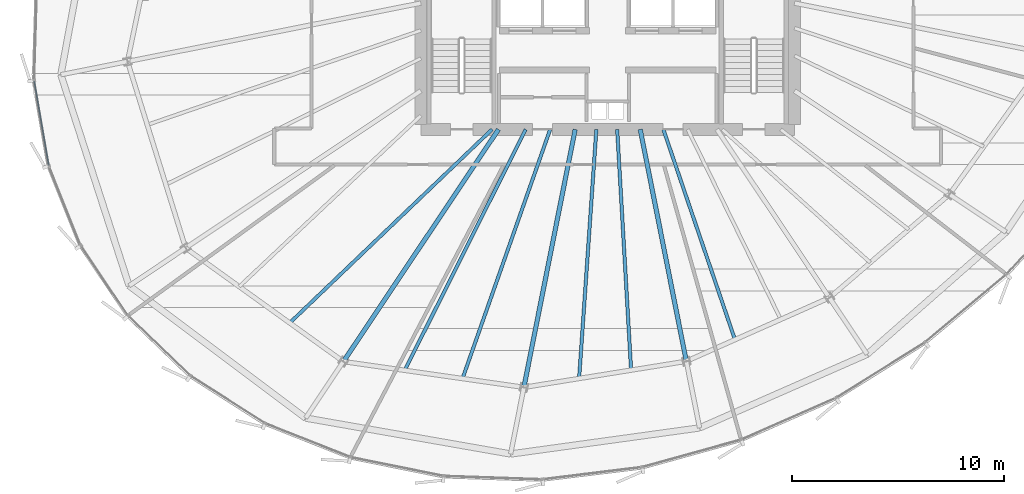
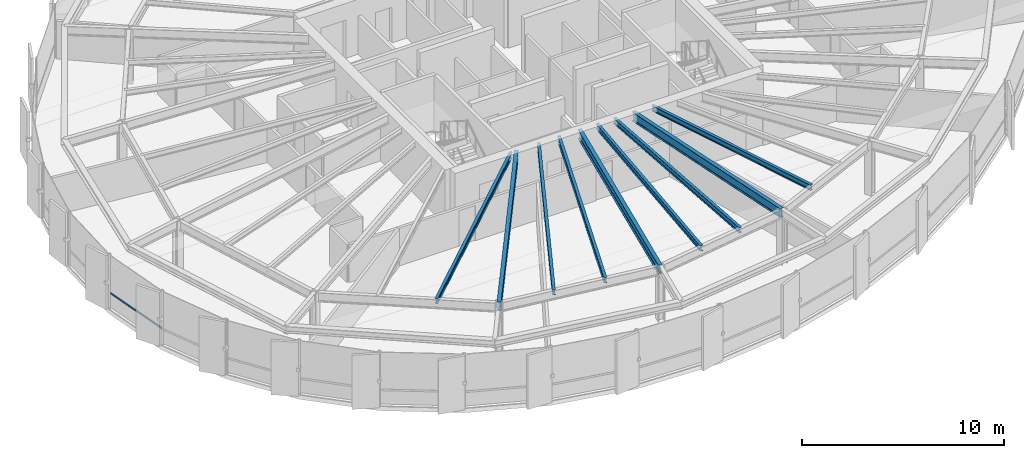
# One storey, part 7 of 35: 9 beams, 1 member, 1 element without a shape of its own.
"""IFC4 building model written with IfcOpenShell, lengths in metres."""

from ifc_helpers import new_model, si_unit, direction, frame, origin, origin_2d, place, context, subcontext, project, spatial, hollow_rectangle, i_section, extrude, source, transform, mapped, material, layer, layer_set, material_profile, profile_set, type_object, element, aggregate, save


model = new_model("IFC4")

# Units and contexts
model_context = context("Model", 3, precision=1e-05, world=origin(), true_north=direction((0.0, 1.0)))
body_context = subcontext(model_context, "Body", "Model", "MODEL_VIEW")
ifc_project = project(units=[si_unit("LENGTHUNIT", "METRE"), si_unit("AREAUNIT", "SQUARE_METRE"), si_unit("VOLUMEUNIT", "CUBIC_METRE"), si_unit("PLANEANGLEUNIT", "RADIAN"), si_unit("MASSUNIT", "GRAM", prefix="KILO"), si_unit("THERMODYNAMICTEMPERATUREUNIT", "KELVIN")], contexts=[model_context])

# Site, building, storey
site_placement = place(None, origin())
site = spatial("IfcSite", under=ifc_project, at=site_placement, CompositionType="ELEMENT")
building_placement = place(site_placement, origin())
building = spatial("IfcBuilding", under=site, at=building_placement, Name="Kethvar Cultural Tower", CompositionType="ELEMENT")
storey_placement = place(building_placement, frame((0.0, 0.0, 146.550048828125)))
storey = spatial("IfcBuildingStorey", under=building, at=storey_placement, Name="L37", CompositionType="ELEMENT", Elevation=146.550048828125)

# Beams
ifc_material_1 = material(Name="Steel S355J2", Category="steel")
ifc_material_profile_1 = material_profile(ifc_material_1, i_section(OverallWidth=0.2099609375, OverallDepth=0.550048828125, WebThickness=0.010986328125, FlangeThickness=0.01708984375, FilletRadius=0.02392578125, at=origin_2d()), Name="Steel S355J2 — IPE550")
ifc_profile_set_1 = profile_set([ifc_material_profile_1], Name="Steel S355J2 — IPE550")
beam_type_1 = type_object("IfcBeamType", Name="BM-IPE550", PredefinedType="BEAM", material=ifc_profile_set_1)
shared_shape_1 = source(origin(), body_context, "Body", "SweptSolid", [
    extrude(i_section(OverallWidth=0.2099609375, OverallDepth=0.550048828125, WebThickness=0.010986328125, FlangeThickness=0.01708984375, FilletRadius=0.02392578125, at=origin_2d()), origin(), (0.0, 0.0, 1.0), 13.147216796875),
])
beam_1_placement = place(storey_placement, frame((41.655029296875, 20.10009765625, 3.02294921875), z_axis=(-0.555565525446, -0.831472757783, 0.0), x_axis=(0.831472757783, -0.555565525446, 0.0)))
element("IfcBeam", 1, at=beam_1_placement, inside=storey, type_object=beam_type_1, Name="L37 Primary Radial Beam RB-11", PredefinedType="BEAM", context=body_context, shape_type="MappedRepresentation", body=[
    mapped(shared_shape_1, transform((0.0, 0.0, 0.0), scale=1.0)),
])
shared_shape_2 = source(origin(), body_context, "Body", "SweptSolid", [
    extrude(i_section(OverallWidth=0.2099609375, OverallDepth=0.550048828125, WebThickness=0.010986328125, FlangeThickness=0.01708984375, FilletRadius=0.02392578125, at=origin_2d()), origin(), (0.0, 0.0, 1.0), 12.384521484375),
])
beam_2_placement = place(storey_placement, frame((45.268310546875, 20.10009765625, 3.02294921875), z_axis=(-0.195084858678, -0.980786367113, 0.0), x_axis=(0.980786367113, -0.195084858678, 0.0)))
element("IfcBeam", 2, at=beam_2_placement, inside=storey, type_object=beam_type_1, Name="L37 Primary Radial Beam RB-12", PredefinedType="BEAM", context=body_context, shape_type="MappedRepresentation", body=[
    mapped(shared_shape_2, transform((0.0, 0.0, 0.0), scale=1.0)),
])
shared_shape_3 = source(origin(), body_context, "Body", "SweptSolid", [
    extrude(i_section(OverallWidth=0.2099609375, OverallDepth=0.550048828125, WebThickness=0.010986328125, FlangeThickness=0.01708984375, FilletRadius=0.02392578125, at=origin_2d()), origin(), (0.0, 0.0, 1.0), 11.131591796875),
])
beam_3_placement = place(storey_placement, frame((48.33154296875, 20.10009765625, 3.02294921875), z_axis=(0.195107998266, -0.980781764213, 0.0), x_axis=(0.980781764213, 0.195107998266, 0.0)))
element("IfcBeam", 3, at=beam_3_placement, inside=storey, type_object=beam_type_1, Name="L37 Primary Radial Beam RB-13", PredefinedType="BEAM", context=body_context, shape_type="MappedRepresentation", body=[
    mapped(shared_shape_3, transform((0.0, 0.0, 0.0), scale=1.0)),
])
ifc_material_profile_2 = material_profile(ifc_material_1, i_section(OverallWidth=0.159912109375, OverallDepth=0.330078125, WebThickness=0.007568359375, FlangeThickness=0.011474609375, FilletRadius=0.01806640625, at=origin_2d()), Name="Steel S355J2 — IPE330")
ifc_profile_set_2 = profile_set([ifc_material_profile_2], Name="Steel S355J2 — IPE330")
beam_type_2 = type_object("IfcBeamType", Name="BM-J330", PredefinedType="JOIST", material=ifc_profile_set_2)
shared_shape_4 = source(origin(), body_context, "Body", "SweptSolid", [
    extrude(i_section(OverallWidth=0.159912109375, OverallDepth=0.330078125, WebThickness=0.007568359375, FlangeThickness=0.011474609375, FilletRadius=0.01806640625, at=origin_2d()), origin(), (0.0, 0.0, 1.0), 13.1826171875),
])
beam_4_placement = place(storey_placement, frame((41.35009765625, 20.10009765625, 3.133056640625), z_axis=(-0.722573880181, -0.691293705801, 0.0), x_axis=(0.691293705801, -0.722573880181, 0.0)))
element("IfcBeam", 4, at=beam_4_placement, inside=storey, type_object=beam_type_2, Name="L37 Composite Floor Joist J-10B", PredefinedType="JOIST", context=body_context, shape_type="MappedRepresentation", body=[
    mapped(shared_shape_4, transform((0.0, 0.0, 0.0), scale=1.0)),
])
shared_shape_5 = source(origin(), body_context, "Body", "SweptSolid", [
    extrude(i_section(OverallWidth=0.159912109375, OverallDepth=0.330078125, WebThickness=0.007568359375, FlangeThickness=0.011474609375, FilletRadius=0.01806640625, at=origin_2d()), origin(), (0.0, 0.0, 1.0), 12.693603515625),
])
beam_5_placement = place(storey_placement, frame((42.935302734375, 20.10009765625, 3.133056640625), z_axis=(-0.448582495233, -0.893741430712, 0.0), x_axis=(0.893741430712, -0.448582495233, 0.0)))
element("IfcBeam", 5, at=beam_5_placement, inside=storey, type_object=beam_type_2, Name="L37 Composite Floor Joist J-11A", PredefinedType="JOIST", context=body_context, shape_type="MappedRepresentation", body=[
    mapped(shared_shape_5, transform((0.0, 0.0, 0.0), scale=1.0)),
])
shared_shape_6 = source(origin(), body_context, "Body", "SweptSolid", [
    extrude(i_section(OverallWidth=0.159912109375, OverallDepth=0.330078125, WebThickness=0.007568359375, FlangeThickness=0.011474609375, FilletRadius=0.01806640625, at=origin_2d()), origin(), (0.0, 0.0, 1.0), 12.4384765625),
])
beam_6_placement = place(storey_placement, frame((44.090576171875, 20.10009765625, 3.133056640625), z_axis=(-0.331923676994, -0.943306245421, 0.0), x_axis=(0.943306245421, -0.331923676994, 0.0)))
element("IfcBeam", 6, at=beam_6_placement, inside=storey, type_object=beam_type_2, Name="L37 Composite Floor Joist J-11B", PredefinedType="JOIST", context=body_context, shape_type="MappedRepresentation", body=[
    mapped(shared_shape_6, transform((0.0, 0.0, 0.0), scale=1.0)),
])
shared_shape_7 = source(origin(), body_context, "Body", "SweptSolid", [
    extrude(i_section(OverallWidth=0.159912109375, OverallDepth=0.330078125, WebThickness=0.007568359375, FlangeThickness=0.011474609375, FilletRadius=0.01806640625, at=origin_2d()), origin(), (0.0, 0.0, 1.0), 11.7568359375),
])
beam_7_placement = place(storey_placement, frame((46.266357421875, 20.10009765625, 3.133056640625), z_axis=(-0.069129203877, -0.997607715072, 0.0), x_axis=(0.997607715072, -0.069129203877, 0.0)))
element("IfcBeam", 7, at=beam_7_placement, inside=storey, type_object=beam_type_2, Name="L37 Composite Floor Joist J-12A", PredefinedType="JOIST", context=body_context, shape_type="MappedRepresentation", body=[
    mapped(shared_shape_7, transform((0.0, 0.0, 0.0), scale=1.0)),
])
shared_shape_8 = source(origin(), body_context, "Body", "SweptSolid", [
    extrude(i_section(OverallWidth=0.159912109375, OverallDepth=0.330078125, WebThickness=0.007568359375, FlangeThickness=0.011474609375, FilletRadius=0.01806640625, at=origin_2d()), origin(), (0.0, 0.0, 1.0), 11.354736328125),
])
beam_8_placement = place(storey_placement, frame((47.245849609375, 20.10009765625, 3.133056640625), z_axis=(0.057795585741, -0.998328438075, 0.0), x_axis=(0.998328438075, 0.057795585741, 0.0)))
element("IfcBeam", 8, at=beam_8_placement, inside=storey, type_object=beam_type_2, Name="L37 Composite Floor Joist J-12B", PredefinedType="JOIST", context=body_context, shape_type="MappedRepresentation", body=[
    mapped(shared_shape_8, transform((0.0, 0.0, 0.0), scale=1.0)),
])
shared_shape_9 = source(origin(), body_context, "Body", "SweptSolid", [
    extrude(i_section(OverallWidth=0.159912109375, OverallDepth=0.330078125, WebThickness=0.007568359375, FlangeThickness=0.011474609375, FilletRadius=0.01806640625, at=origin_2d()), origin(), (0.0, 0.0, 1.0), 10.45947265625),
])
beam_9_placement = place(storey_placement, frame((49.42236328125, 20.10009765625, 3.133056640625), z_axis=(0.322390188368, -0.94660687006, 0.0), x_axis=(0.94660687006, 0.322390188368, 0.0)))
element("IfcBeam", 9, at=beam_9_placement, inside=storey, type_object=beam_type_2, Name="L37 Composite Floor Joist J-13A", PredefinedType="JOIST", context=body_context, shape_type="MappedRepresentation", body=[
    mapped(shared_shape_9, transform((0.0, 0.0, 0.0), scale=1.0)),
])

# Curtain wall, member
ifc_material_2 = material(Name="Aluminium 6063-T6", Category="aluminium")
ifc_layer = layer(ifc_material_2, 0.179931640625, Name="Aluminium 6063-T6", Category="aluminium")
ifc_layer_set = layer_set([ifc_layer], Name="Aluminium 6063-T6 (180 mm)")
curtain_wall_type = type_object("IfcCurtainWallType", Name="CW-SYS-04-Z34", PredefinedType="NOTDEFINED", material=ifc_layer_set)
curtain_wall_placement = place(storey_placement, origin())
curtain_wall = element("IfcCurtainWall", 10, at=curtain_wall_placement, inside=storey, type_object=curtain_wall_type, Name="L37 Curtain Wall Run 03", PredefinedType="NOTDEFINED")
ifc_material_profile_3 = material_profile(ifc_material_2, hollow_rectangle(XDim=0.050048828125, YDim=0.10009765625, WallThickness=0.00390625, at=origin_2d()), Name="Aluminium 6063-T6 — RHS100x50x4")
ifc_profile_set_3 = profile_set([ifc_material_profile_3], Name="Aluminium 6063-T6 — RHS100x50x4")
member_type = type_object("IfcMemberType", Name="CW-SYS-04-Z34-TRN", PredefinedType="USERDEFINED", material=ifc_profile_set_3)
shared_shape_10 = source(origin(), body_context, "Body", "SweptSolid", [
    extrude(hollow_rectangle(XDim=0.050048828125, YDim=0.10009765625, WallThickness=0.00390625, at=origin_2d()), origin(), (0.0, 0.0, 1.0), 4.00927734375),
])
member_placement = place(storey_placement, frame((19.79345703125, 22.36328125, 0.949951171875), z_axis=(0.170202596026, -0.985409090838, 0.0), x_axis=(0.985409090838, 0.170202596026, 0.0)))
member = element("IfcMember", 11, at=member_placement, type_object=member_type, Name="CW-L37-R03 Transom 5", ObjectType="TRANSOM", PredefinedType="USERDEFINED", context=body_context, shape_type="MappedRepresentation", body=[
    mapped(shared_shape_10, transform((0.0, 0.0, 0.0), scale=1.0)),
])
aggregate(curtain_wall, [member])

save(model, "model.ifc")
